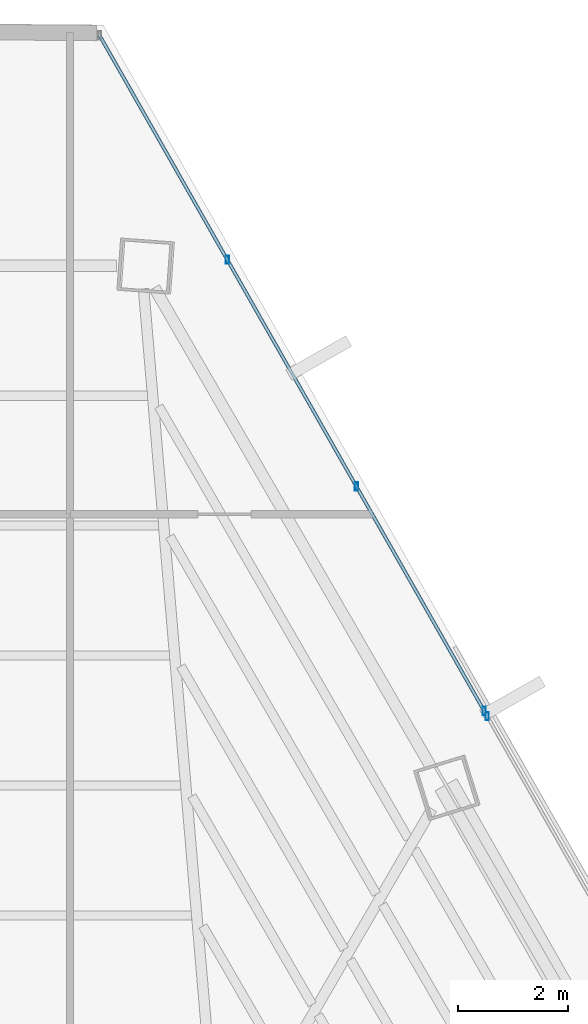
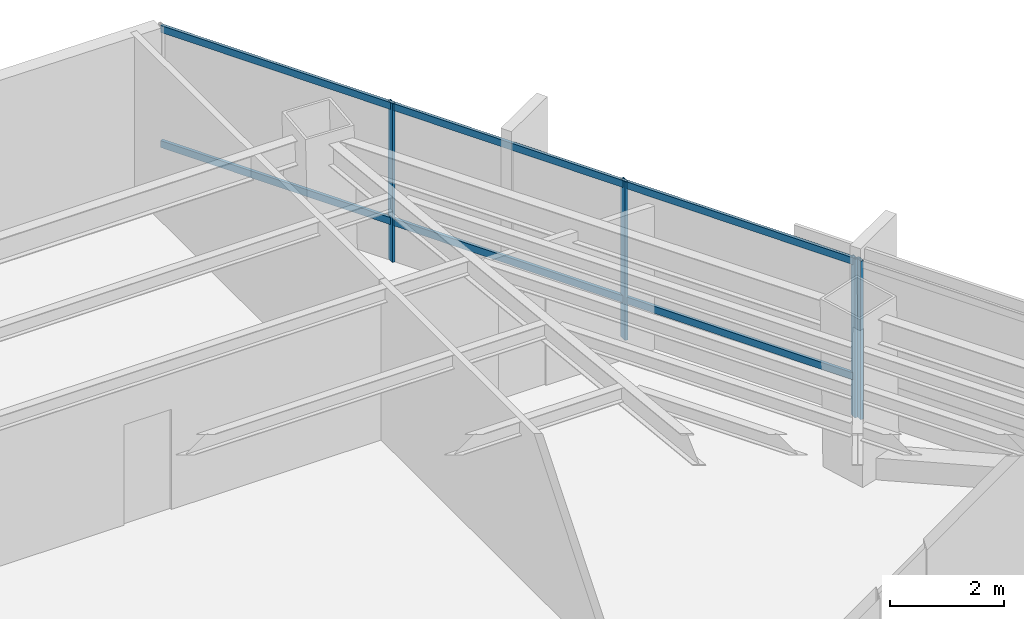
# One storey, part 31 of 38: 6 members, 2 elements without a shape of their own.
"""IFC4 building model written with IfcOpenShell, lengths in metres."""

from ifc_helpers import new_model, si_unit, direction, frame, origin, origin_2d, place, context, subcontext, project, spatial, hollow_rectangle, extrude, source, transform, mapped, material, material_profile, profile_set, type_object, type_shapes, element, aggregate, save


model = new_model("IFC4")

# Units and contexts
model_context = context("Model", 3, precision=1e-05, world=origin(), true_north=direction((0.0, 1.0)))
body_context = subcontext(model_context, "Body", "Model", "MODEL_VIEW")
ifc_project = project(units=[si_unit("LENGTHUNIT", "METRE"), si_unit("AREAUNIT", "SQUARE_METRE"), si_unit("VOLUMEUNIT", "CUBIC_METRE"), si_unit("PLANEANGLEUNIT", "RADIAN"), si_unit("MASSUNIT", "GRAM", prefix="KILO")], contexts=[model_context])

# Site, building, storey
site_placement = place(None, origin())
site = spatial("IfcSite", under=ifc_project, at=site_placement, CompositionType="ELEMENT")
building_placement = place(site_placement, origin())
building = spatial("IfcBuilding", under=site, at=building_placement, Name="Caelisora Broadcast Tower", CompositionType="ELEMENT")
storey_placement = place(building_placement, frame((0.0, 0.0, 158.5)))
storey = spatial("IfcBuildingStorey", under=building, at=storey_placement, Name="L41", CompositionType="ELEMENT", Elevation=158.5)

# Curtain wall, members
ifc_material_1 = material(Name="Unitised Aluminium and Low-E Glass Curtain Wall", Category="glass")
curtain_wall_type_1 = type_object("IfcCurtainWallType", Name="CW-Z3", PredefinedType="NOTDEFINED", material=ifc_material_1)
curtain_wall_1_placement = place(storey_placement, origin())
curtain_wall_1 = element("IfcCurtainWall", 1, at=curtain_wall_1_placement, inside=storey, type_object=curtain_wall_type_1, Name="L41 curtain wall CW-Z3", PredefinedType="NOTDEFINED")
ifc_material_2 = material(Name="Aluminium 6063-T6 Anodised Terracotta Bronze", Category="aluminium")
ifc_material_profile_1 = material_profile(ifc_material_2, hollow_rectangle(XDim=0.06005859375, YDim=0.14990234375, WallThickness=0.00341796875, at=origin_2d()), Name="Aluminium 6063-T6 Anodised Terracotta Bronze")
ifc_profile_set_1 = profile_set([ifc_material_profile_1], Name="Aluminium 6063-T6 Anodised Terracotta Bronze")
member_type_1 = type_object("IfcMemberType", Name="CWM-03", PredefinedType="MULLION", material=ifc_profile_set_1)
shared_shape_1 = source(origin(), body_context, "Body", "SweptSolid", [
    extrude(hollow_rectangle(XDim=0.06005859375, YDim=0.14990234375, WallThickness=0.00341796875, at=origin_2d()), origin(), (0.0, 0.0, 1.0), 3.39990234375),
])
type_shapes(member_type_1, [shared_shape_1])
member_1_placement = place(storey_placement, frame((45.65380859375, 46.6171875, 0.0), z_axis=(0.0, 0.0, 1.0), x_axis=(1.0, 0.0, 0.0)))
member_1 = element("IfcMember", 2, at=member_1_placement, type_object=member_type_1, Name="L41-CW-B01 mullion #1", PredefinedType="MULLION", context=body_context, shape_type="MappedRepresentation", body=[
    mapped(shared_shape_1, transform((0.0, 0.0, 0.0), scale=1.0)),
])
member_2_placement = place(storey_placement, frame((47.99755859375, 42.501220703125, 0.0), z_axis=(0.0, 0.0, 1.0), x_axis=(1.0, 0.0, 0.0)))
member_2 = element("IfcMember", 3, at=member_2_placement, type_object=member_type_1, Name="L41-CW-B01 mullion #2", PredefinedType="MULLION", context=body_context, shape_type="MappedRepresentation", body=[
    mapped(shared_shape_1, transform((0.0, 0.0, 0.0), scale=1.0)),
])
member_3_placement = place(storey_placement, frame((50.31640625, 38.428955078125, 0.0), z_axis=(0.0, 0.0, 1.0), x_axis=(1.0, 0.0, 0.0)))
member_3 = element("IfcMember", 4, at=member_3_placement, type_object=member_type_1, Name="L41-CW-B01 mullion #3", PredefinedType="MULLION", context=body_context, shape_type="MappedRepresentation", body=[
    mapped(shared_shape_1, transform((0.0, 0.0, 0.0), scale=1.0)),
])

# Curtain wall, member
ifc_material_3 = material(Name="Unitised Aluminium Insulated Shadow-Box Spandrel Curtain Wall", Category="aluminium")
curtain_wall_type_2 = type_object("IfcCurtainWallType", Name="CW-SP2", PredefinedType="NOTDEFINED", material=ifc_material_3)
curtain_wall_2_placement = place(storey_placement, origin())
curtain_wall_2 = element("IfcCurtainWall", 5, at=curtain_wall_2_placement, inside=storey, type_object=curtain_wall_type_2, Name="L41 curtain wall CW-SP2", PredefinedType="NOTDEFINED")
member_4_placement = place(storey_placement, frame((50.370849609375, 38.333251953125, 0.0), z_axis=(0.0, 0.0, 1.0), x_axis=(1.0, 0.0, 0.0)))
member_4 = element("IfcMember", 6, at=member_4_placement, type_object=member_type_1, Name="L41-CW-B02 mullion #0", PredefinedType="MULLION", context=body_context, shape_type="MappedRepresentation", body=[
    mapped(shared_shape_1, transform((0.0, 0.0, 0.0), scale=1.0)),
])
aggregate(curtain_wall_2, [member_4])

# Member
ifc_material_profile_2 = material_profile(ifc_material_2, hollow_rectangle(XDim=0.06005859375, YDim=0.14990234375, WallThickness=0.00341796875, at=origin_2d()), Name="Aluminium 6063-T6 Anodised Terracotta Bronze")
ifc_profile_set_2 = profile_set([ifc_material_profile_2], Name="Aluminium 6063-T6 Anodised Terracotta Bronze")
member_type_2 = type_object("IfcMemberType", Name="CWT-02", PredefinedType="USERDEFINED", material=ifc_profile_set_2)
shared_shape_2 = source(origin(), body_context, "Body", "SweptSolid", [
    extrude(hollow_rectangle(XDim=0.06005859375, YDim=0.14990234375, WallThickness=0.00341796875, at=origin_2d()), origin(), (0.0, 0.0, 1.0), 14.109130859375),
])
type_shapes(member_type_2, [shared_shape_2])
member_5_placement = place(storey_placement, frame((43.334716796875, 50.689697265625, 0.85009765625), z_axis=(0.494832085399, -0.868988611698, 0.0), x_axis=(0.868988611698, 0.494832085399, 0.0)))
member_5 = element("IfcMember", 7, at=member_5_placement, type_object=member_type_2, Name="L41-CW-B01 transom #1", ObjectType="TRANSOM", PredefinedType="USERDEFINED", context=body_context, shape_type="MappedRepresentation", body=[
    mapped(shared_shape_2, transform((0.0, 0.0, 0.0), scale=1.0)),
])

member_6_placement = place(storey_placement, frame((43.334716796875, 50.689697265625, 3.320068359375), z_axis=(0.494832085399, -0.868988611698, 0.0), x_axis=(0.868988611698, 0.494832085399, 0.0)))
member_6 = element("IfcMember", 8, at=member_6_placement, type_object=member_type_2, Name="L41-CW-B01 transom #2", ObjectType="TRANSOM", PredefinedType="USERDEFINED", context=body_context, shape_type="MappedRepresentation", body=[
    mapped(shared_shape_2, transform((0.0, 0.0, 0.0), scale=1.0)),
])

aggregate(curtain_wall_1, [member_1, member_2, member_3, member_5, member_6])

save(model, "model.ifc")
